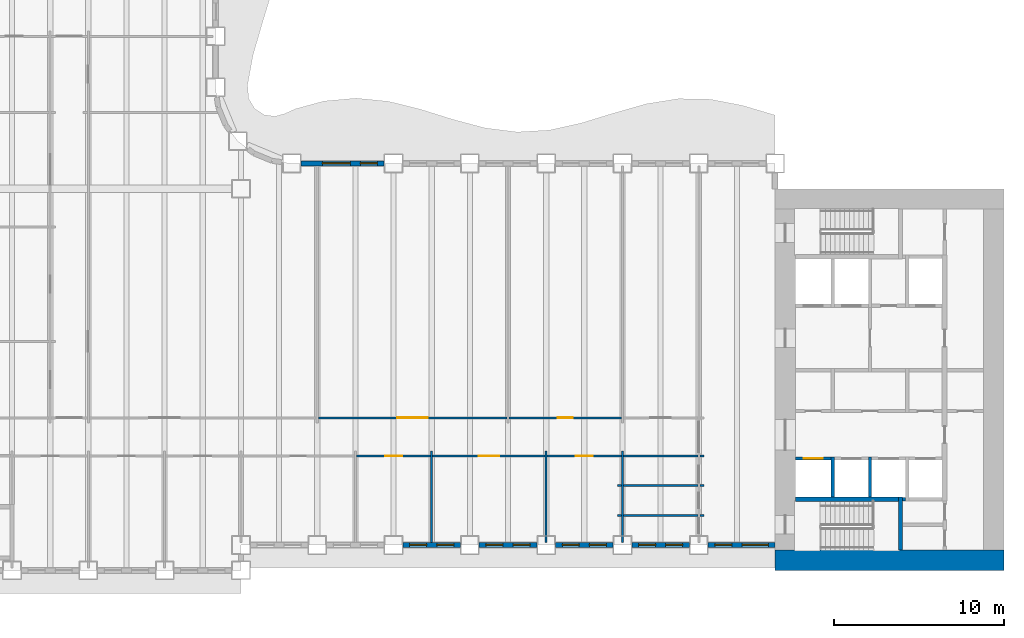
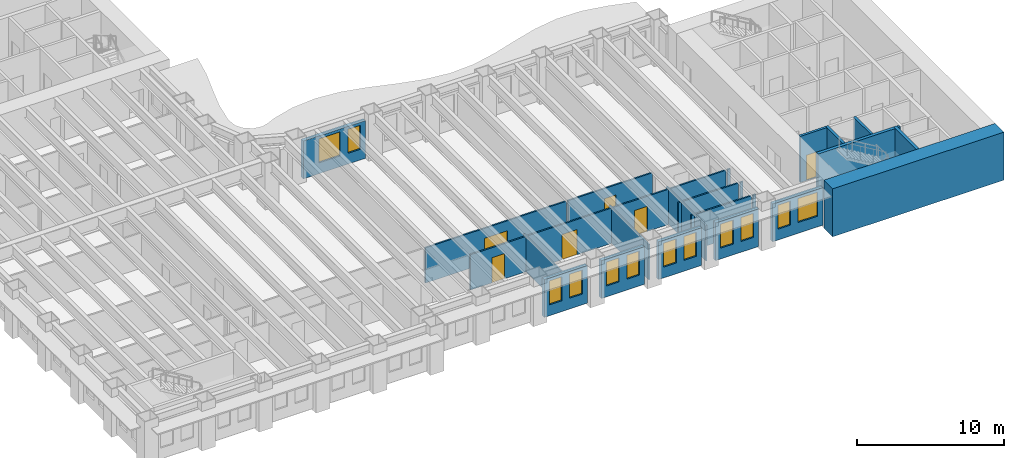
# One storey, part 5 of 17: 29 walls, 12 windows, 6 doors, 18 openings.
"""IFC4 building model written with IfcOpenShell, lengths in metres."""

from ifc_helpers import new_model, si_unit, direction, frame, frame_2d, origin, place, context, subcontext, project, spatial, rectangle, extrude, material, layer, layer_set, type_object, element, fill, save


model = new_model("IFC4")

# Units and contexts
model_context = context("Model", 3, precision=1e-05, world=origin(), true_north=direction((0.0, 1.0)))
body_context = subcontext(model_context, "Body", "Model", "MODEL_VIEW")
ifc_project = project(units=[si_unit("LENGTHUNIT", "METRE"), si_unit("AREAUNIT", "SQUARE_METRE"), si_unit("VOLUMEUNIT", "CUBIC_METRE"), si_unit("PLANEANGLEUNIT", "RADIAN"), si_unit("MASSUNIT", "GRAM", prefix="KILO")], contexts=[model_context])

# Site, building, storey
site_placement = place(None, origin())
site = spatial("IfcSite", under=ifc_project, at=site_placement, CompositionType="ELEMENT")
building_placement = place(site_placement, origin())
building = spatial("IfcBuilding", under=site, at=building_placement, Name="Sennacour Bend Tower", CompositionType="ELEMENT")
storey_placement = place(building_placement, frame((0.0, 0.0, 49.0)))
storey = spatial("IfcBuildingStorey", under=building, at=storey_placement, Name="L10", CompositionType="ELEMENT", Elevation=49.0)

# Walls
ifc_material_1 = material(Name="Concrete C80/95", Category="concrete")
ifc_layer_1 = layer(ifc_material_1, 1.199951171875, Name="Concrete C80/95", Category="concrete")
ifc_layer_set_1 = layer_set([ifc_layer_1], Name="Concrete C80/95")
wall_type_1 = type_object("IfcWallType", Name="Core wall 1200 C80/95", PredefinedType="SHEAR", material=ifc_layer_set_1)
wall_1_placement = place(storey_placement, frame((67.5, 0.60009765625, -0.14990234375), z_axis=(0.0, 0.0, 1.0), x_axis=(-1.0, 0.0, 0.0)))
element("IfcWall", 1, at=wall_1_placement, inside=storey, type_object=wall_type_1, Name="Core A wall L10 S", PredefinedType="SHEAR", context=body_context, shape_type="SweptSolid", body=[
    extrude(rectangle(XDim=13.5, YDim=1.199951171875, at=frame_2d((6.75, 0.0))), origin(), (0.0, 0.0, 1.0), 4.0),
])
ifc_material_2 = material(Name="Plasterboard partition on steel studs", Category="steel")
ifc_layer_2 = layer(ifc_material_2, 0.1201171875, Name="Plasterboard partition on steel studs", Category="steel")
ifc_layer_set_2 = layer_set([ifc_layer_2], Name="Plasterboard partition on steel studs")
wall_type_2 = type_object("IfcWallType", Name="Partition 120", PredefinedType="PARTITIONING", material=ifc_layer_set_2)
for number, where, z_axis, x_axis, name in (
    (2, (33.75, 1.64990234375, 0.0), (0.0, 0.0, 1.0), (0.0, 1.0, 0.0), "P-L10-W029a"),
    (3, (40.5, 1.64990234375, 0.0), (0.0, 0.0, 1.0), (0.0, 1.0, 0.0), "P-L10-W031a"),
    (4, (45.0, 1.64990234375, 0.0), (0.0, 0.0, 1.0), (0.0, 1.0, 0.0), "P-L10-W032a"),
):
    element("IfcWall", number, at=place(storey_placement, frame(where, z_axis=z_axis, x_axis=x_axis)), inside=storey, type_object=wall_type_2, Name=name, PredefinedType="PARTITIONING", context=body_context, shape_type="SweptSolid", body=[
        extrude(rectangle(XDim=5.400146484375, YDim=0.1201171875, at=frame_2d((2.7001953125, 0.0))), origin(), (0.0, 0.0, 1.0), 2.93798828125),
    ])
wall_2_placement = place(storey_placement, frame((44.699951171875, 3.25, 0.0), z_axis=(0.0, 0.0, 1.0), x_axis=(1.0, 0.0, 0.0)))
element("IfcWall", 5, at=wall_2_placement, inside=storey, type_object=wall_type_2, Name="P-L10-W054aa", PredefinedType="PARTITIONING", context=body_context, shape_type="SweptSolid", body=[
    extrude(rectangle(XDim=0.239990234375, YDim=0.1201171875, at=frame_2d((0.1201171875, 0.0))), origin(), (0.0, 0.0, 1.0), 2.93798828125),
])
wall_3_placement = place(storey_placement, frame((45.06005859375, 3.25, 0.0), z_axis=(0.0, 0.0, 1.0), x_axis=(1.0, 0.0, 0.0)))
element("IfcWall", 6, at=wall_3_placement, inside=storey, type_object=wall_type_2, Name="P-L10-W054ab", PredefinedType="PARTITIONING", context=body_context, shape_type="SweptSolid", body=[
    extrude(rectangle(XDim=4.3798828125, YDim=0.1201171875, at=frame_2d((2.18994140625, 0.0))), origin(), (0.0, 0.0, 1.0), 2.93798828125),
])
for number, where, z_axis, x_axis, name in (
    (7, (49.56005859375, 3.25, 0.0), (0.0, 0.0, 1.0), (1.0, 0.0, 0.0), "P-L10-W054ac"),
    (8, (44.699951171875, 5.0, 0.0), (0.0, 0.0, 1.0), (1.0, 0.0, 0.0), "P-L10-W059aa"),
):
    element("IfcWall", number, at=place(storey_placement, frame(where, z_axis=z_axis, x_axis=x_axis)), inside=storey, type_object=wall_type_2, Name=name, PredefinedType="PARTITIONING", context=body_context, shape_type="SweptSolid", body=[
        extrude(rectangle(XDim=0.239990234375, YDim=0.1201171875, at=frame_2d((0.1201171875, 0.0))), origin(), (0.0, 0.0, 1.0), 2.93798828125),
    ])
wall_4_placement = place(storey_placement, frame((45.06005859375, 5.0, 0.0), z_axis=(0.0, 0.0, 1.0), x_axis=(1.0, 0.0, 0.0)))
element("IfcWall", 9, at=wall_4_placement, inside=storey, type_object=wall_type_2, Name="P-L10-W059ab", PredefinedType="PARTITIONING", context=body_context, shape_type="SweptSolid", body=[
    extrude(rectangle(XDim=4.3798828125, YDim=0.1201171875, at=frame_2d((2.18994140625, 0.0))), origin(), (0.0, 0.0, 1.0), 2.93798828125),
])
wall_5_placement = place(storey_placement, frame((49.56005859375, 5.0, 0.0), z_axis=(0.0, 0.0, 1.0), x_axis=(1.0, 0.0, 0.0)))
element("IfcWall", 10, at=wall_5_placement, inside=storey, type_object=wall_type_2, Name="P-L10-W059ac", PredefinedType="PARTITIONING", context=body_context, shape_type="SweptSolid", body=[
    extrude(rectangle(XDim=0.239990234375, YDim=0.1201171875, at=frame_2d((0.1201171875, 0.0))), origin(), (0.0, 0.0, 1.0), 2.93798828125),
])

# Wall, opening, door
wall_6_placement = place(storey_placement, frame((29.31005859375, 6.75, 0.0), z_axis=(0.0, 0.0, 1.0), x_axis=(1.0, 0.0, 0.0)))
wall_6 = element("IfcWall", 11, at=wall_6_placement, inside=storey, type_object=wall_type_2, Name="P-L10-W061af", PredefinedType="PARTITIONING", context=body_context, shape_type="SweptSolid", body=[
    extrude(rectangle(XDim=4.3798828125, YDim=0.1201171875, at=frame_2d((2.18994140625, 0.0))), origin(), (0.0, 0.0, 1.0), 2.93798828125),
])
opening_1_placement = place(wall_6_placement, frame((1.68994140625, 0.0, 0.0)))
opening_1 = element("IfcOpeningElement", 12, at=opening_1_placement, cuts=wall_6, Name="Opening OD2", PredefinedType="OPENING", context=body_context, shape_type="SweptSolid", body=[
    extrude(rectangle(XDim=1.0, YDim=2.10009765625, at=frame_2d((0.5, 1.050048828125))), frame((0.0, 0.070068359375, 0.0), z_axis=(0.0, -1.0, 0.0), x_axis=(1.0, 0.0, 0.0)), (0.0, 0.0, 1.0), 0.14013671875),
])
ifc_material_3 = material(Name="Timber", Category="wood")
door_type_1 = type_object("IfcDoorType", Name="DR-OFFICE-1000", OperationType="NOTDEFINED", PredefinedType="DOOR", material=ifc_material_3)
door_1_placement = place(opening_1_placement, origin())
door_1 = element("IfcDoor", 13, at=door_1_placement, inside=storey, type_object=door_type_1, Name="Door", OperationType="SINGLE_SWING_LEFT", OverallHeight=2.10009765625, OverallWidth=1.0, PredefinedType="DOOR", context=body_context, shape_type="SweptSolid", body=[
    extrude(rectangle(XDim=1.0, YDim=2.10009765625, at=frame_2d((0.5, 1.050048828125))), frame((0.0, 0.02490234375, 0.0), z_axis=(0.0, -1.0, 0.0), x_axis=(1.0, 0.0, 0.0)), (0.0, 0.0, 1.0), 0.050048828125),
])
fill(opening_1, door_1)

wall_7_placement = place(storey_placement, frame((33.81005859375, 6.75, 0.0), z_axis=(0.0, 0.0, 1.0), x_axis=(1.0, 0.0, 0.0)))
wall_7 = element("IfcWall", 14, at=wall_7_placement, inside=storey, type_object=wall_type_2, Name="P-L10-W061ag", PredefinedType="PARTITIONING", context=body_context, shape_type="SweptSolid", body=[
    extrude(rectangle(XDim=6.6298828125, YDim=0.1201171875, at=frame_2d((3.31494140625, 0.0))), origin(), (0.0, 0.0, 1.0), 2.93798828125),
])
opening_2_placement = place(wall_7_placement, frame((2.71484375, 0.0, 0.0)))
opening_2 = element("IfcOpeningElement", 15, at=opening_2_placement, cuts=wall_7, Name="Opening OD", PredefinedType="OPENING", context=body_context, shape_type="SweptSolid", body=[
    extrude(rectangle(XDim=1.199951171875, YDim=2.10009765625, at=frame_2d((0.60009765625, 1.050048828125))), frame((0.0, 0.070068359375, 0.0), z_axis=(0.0, -1.0, 0.0), x_axis=(1.0, 0.0, 0.0)), (0.0, 0.0, 1.0), 0.14013671875),
])
door_type_2 = type_object("IfcDoorType", Name="DR-OFFICE-1200", OperationType="NOTDEFINED", PredefinedType="DOOR", material=ifc_material_3)
door_2_placement = place(opening_2_placement, origin())
door_2 = element("IfcDoor", 16, at=door_2_placement, inside=storey, type_object=door_type_2, Name="Door", OperationType="SINGLE_SWING_LEFT", OverallHeight=2.10009765625, OverallWidth=1.199951171875, PredefinedType="DOOR", context=body_context, shape_type="SweptSolid", body=[
    extrude(rectangle(XDim=1.199951171875, YDim=2.10009765625, at=frame_2d((0.60009765625, 1.050048828125))), frame((0.0, 0.02490234375, 0.0), z_axis=(0.0, -1.0, 0.0), x_axis=(1.0, 0.0, 0.0)), (0.0, 0.0, 1.0), 0.050048828125),
])
fill(opening_2, door_2)

wall_8_placement = place(storey_placement, frame((40.56005859375, 6.75, 0.0), z_axis=(0.0, 0.0, 1.0), x_axis=(1.0, 0.0, 0.0)))
wall_8 = element("IfcWall", 17, at=wall_8_placement, inside=storey, type_object=wall_type_2, Name="P-L10-W061ah", PredefinedType="PARTITIONING", context=body_context, shape_type="SweptSolid", body=[
    extrude(rectangle(XDim=4.3798828125, YDim=0.1201171875, at=frame_2d((2.18994140625, 0.0))), origin(), (0.0, 0.0, 1.0), 2.93798828125),
])
opening_3_placement = place(wall_8_placement, frame((1.68994140625, 0.0, 0.0)))
opening_3 = element("IfcOpeningElement", 18, at=opening_3_placement, cuts=wall_8, Name="Opening MD2", PredefinedType="OPENING", context=body_context, shape_type="SweptSolid", body=[
    extrude(rectangle(XDim=1.0, YDim=2.10009765625, at=frame_2d((0.5, 1.050048828125))), frame((0.0, 0.070068359375, 0.0), z_axis=(0.0, -1.0, 0.0), x_axis=(1.0, 0.0, 0.0)), (0.0, 0.0, 1.0), 0.14013671875),
])
door_type_3 = type_object("IfcDoorType", Name="DR-MEETING-1000", OperationType="NOTDEFINED", PredefinedType="DOOR", material=ifc_material_3)
door_3_placement = place(opening_3_placement, origin())
door_3 = element("IfcDoor", 19, at=door_3_placement, inside=storey, type_object=door_type_3, Name="Door", OperationType="SINGLE_SWING_LEFT", OverallHeight=2.10009765625, OverallWidth=1.0, PredefinedType="DOOR", context=body_context, shape_type="SweptSolid", body=[
    extrude(rectangle(XDim=1.0, YDim=2.10009765625, at=frame_2d((0.5, 1.050048828125))), frame((0.0, 0.02490234375, 0.0), z_axis=(0.0, -1.0, 0.0), x_axis=(1.0, 0.0, 0.0)), (0.0, 0.0, 1.0), 0.050048828125),
])
fill(opening_3, door_3)

# Walls
wall_9_placement = place(storey_placement, frame((45.06005859375, 6.75, 0.0), z_axis=(0.0, 0.0, 1.0), x_axis=(1.0, 0.0, 0.0)))
element("IfcWall", 20, at=wall_9_placement, inside=storey, type_object=wall_type_2, Name="P-L10-W061ai", PredefinedType="PARTITIONING", context=body_context, shape_type="SweptSolid", body=[
    extrude(rectangle(XDim=4.3798828125, YDim=0.1201171875, at=frame_2d((2.18994140625, 0.0))), origin(), (0.0, 0.0, 1.0), 2.93798828125),
])
wall_10_placement = place(storey_placement, frame((49.56005859375, 6.75, 0.0), z_axis=(0.0, 0.0, 1.0), x_axis=(1.0, 0.0, 0.0)))
element("IfcWall", 21, at=wall_10_placement, inside=storey, type_object=wall_type_2, Name="P-L10-W061aj", PredefinedType="PARTITIONING", context=body_context, shape_type="SweptSolid", body=[
    extrude(rectangle(XDim=0.239990234375, YDim=0.1201171875, at=frame_2d((0.1201171875, 0.0))), origin(), (0.0, 0.0, 1.0), 2.93798828125),
])

# Wall, opening, door
wall_11_placement = place(storey_placement, frame((27.06005859375, 9.0, 0.0), z_axis=(0.0, 0.0, 1.0), x_axis=(1.0, 0.0, 0.0)))
wall_11 = element("IfcWall", 22, at=wall_11_placement, inside=storey, type_object=wall_type_2, Name="P-L10-W062ad", PredefinedType="PARTITIONING", context=body_context, shape_type="SweptSolid", body=[
    extrude(rectangle(XDim=11.1298828125, YDim=0.1201171875, at=frame_2d((5.56494140625, 0.0))), origin(), (0.0, 0.0, 1.0), 2.93798828125),
])
opening_4_placement = place(wall_11_placement, frame((4.664794921875, 0.0, 0.0)))
opening_4 = element("IfcOpeningElement", 23, at=opening_4_placement, cuts=wall_11, Name="Opening OD3", PredefinedType="OPENING", context=body_context, shape_type="SweptSolid", body=[
    extrude(rectangle(XDim=1.800048828125, YDim=2.10009765625, at=frame_2d((0.89990234375, 1.050048828125))), frame((0.0, 0.070068359375, 0.0), z_axis=(0.0, -1.0, 0.0), x_axis=(1.0, 0.0, 0.0)), (0.0, 0.0, 1.0), 0.14013671875),
])
door_type_4 = type_object("IfcDoorType", Name="DR-OFFICE-1800", OperationType="NOTDEFINED", PredefinedType="DOOR", material=ifc_material_3)
door_4_placement = place(opening_4_placement, origin())
door_4 = element("IfcDoor", 24, at=door_4_placement, inside=storey, type_object=door_type_4, Name="Door", OperationType="DOUBLE_DOOR_SINGLE_SWING", OverallHeight=2.10009765625, OverallWidth=1.800048828125, PredefinedType="DOOR", context=body_context, shape_type="SweptSolid", body=[
    extrude(rectangle(XDim=1.800048828125, YDim=2.10009765625, at=frame_2d((0.89990234375, 1.050048828125))), frame((0.0, 0.02490234375, 0.0), z_axis=(0.0, -1.0, 0.0), x_axis=(1.0, 0.0, 0.0)), (0.0, 0.0, 1.0), 0.050048828125),
])
fill(opening_4, door_4)

ifc_layer_3 = layer(ifc_material_2, 0.1201171875, Name="Plasterboard partition on steel studs", Category="steel")
ifc_layer_set_3 = layer_set([ifc_layer_3], Name="Plasterboard partition on steel studs")
wall_type_3 = type_object("IfcWallType", Name="Partition 120 EI 60", PredefinedType="PARTITIONING", material=ifc_layer_set_3)
wall_12_placement = place(storey_placement, frame((38.31005859375, 9.0, 0.0), z_axis=(0.0, 0.0, 1.0), x_axis=(1.0, 0.0, 0.0)))
wall_12 = element("IfcWall", 25, at=wall_12_placement, inside=storey, type_object=wall_type_3, Name="P-L10-W062ae", PredefinedType="PARTITIONING", context=body_context, shape_type="SweptSolid", body=[
    extrude(rectangle(XDim=6.6298828125, YDim=0.1201171875, at=frame_2d((3.31494140625, 0.0))), origin(), (0.0, 0.0, 1.0), 2.93798828125),
])
opening_5_placement = place(wall_12_placement, frame((2.864990234375, 0.0, 0.0)))
opening_5 = element("IfcOpeningElement", 26, at=opening_5_placement, cuts=wall_12, Name="Opening SV", PredefinedType="OPENING", context=body_context, shape_type="SweptSolid", body=[
    extrude(rectangle(XDim=0.89990234375, YDim=2.10009765625, at=frame_2d((0.449951171875, 1.050048828125))), frame((0.0, 0.070068359375, 0.0), z_axis=(0.0, -1.0, 0.0), x_axis=(1.0, 0.0, 0.0)), (0.0, 0.0, 1.0), 0.14013671875),
])
ifc_material_4 = material(Name="Painted steel", Category="steel")
door_type_5 = type_object("IfcDoorType", Name="DR-SERVICE-900", OperationType="NOTDEFINED", PredefinedType="DOOR", material=ifc_material_4)
door_5_placement = place(opening_5_placement, origin())
door_5 = element("IfcDoor", 27, at=door_5_placement, inside=storey, type_object=door_type_5, Name="Door", OperationType="SINGLE_SWING_LEFT", OverallHeight=2.10009765625, OverallWidth=0.89990234375, PredefinedType="DOOR", context=body_context, shape_type="SweptSolid", body=[
    extrude(rectangle(XDim=0.89990234375, YDim=2.10009765625, at=frame_2d((0.449951171875, 1.050048828125))), frame((0.0, 0.02490234375, 0.0), z_axis=(0.0, -1.0, 0.0), x_axis=(1.0, 0.0, 0.0)), (0.0, 0.0, 1.0), 0.050048828125),
])
fill(opening_5, door_5)

# Wall, openings, windows
ifc_material_5 = material(Name="Warm limestone cladding", Category="masonry")
ifc_layer_4 = layer(ifc_material_5, 0.050048828125, Name="Warm limestone cladding", Category="masonry")
ifc_material_6 = material(Name="Precast concrete C40/50", Category="concrete")
ifc_layer_5 = layer(ifc_material_6, 0.25, Name="Precast concrete C40/50", Category="concrete")
ifc_layer_set_4 = layer_set([ifc_layer_4, ifc_layer_5], Name="Precast concrete C40/50 with limestone cladding")
wall_type_4 = type_object("IfcWallType", Name="STONE-CLAD PRECAST SPANDREL 300", PredefinedType="STANDARD", material=ifc_layer_set_4)
wall_13_placement = place(storey_placement, frame((32.050048828125, 1.5, 0.0), z_axis=(0.0, 0.0, 1.0), x_axis=(1.0, 0.0, 0.0)))
wall_13 = element("IfcWall", 28, at=wall_13_placement, inside=storey, type_object=wall_type_4, Name="Stone spandrel and pier wall L10 02.02", PredefinedType="STANDARD", context=body_context, shape_type="SweptSolid", body=[
    extrude(rectangle(XDim=3.39990234375, YDim=0.300048828125, at=frame_2d((1.699951171875, 0.0))), origin(), (0.0, 0.0, 1.0), 3.14404296875),
])
opening_6_placement = place(wall_13_placement, frame((0.39990234375, 0.0, 0.89990234375)))
opening_6 = element("IfcOpeningElement", 29, at=opening_6_placement, cuts=wall_13, Name="Opening W8", PredefinedType="OPENING", context=body_context, shape_type="SweptSolid", body=[
    extrude(rectangle(XDim=1.0, YDim=2.0, at=frame_2d((0.5, 1.0))), frame((0.0, 0.16015625, 0.0), z_axis=(0.0, -1.0, 0.0), x_axis=(1.0, 0.0, 0.0)), (0.0, 0.0, 1.0), 0.320068359375),
])
opening_7_placement = place(wall_13_placement, frame((2.0, 0.0, 0.89990234375)))
opening_7 = element("IfcOpeningElement", 30, at=opening_7_placement, cuts=wall_13, Name="Opening W8", PredefinedType="OPENING", context=body_context, shape_type="SweptSolid", body=[
    extrude(rectangle(XDim=1.0, YDim=2.0, at=frame_2d((0.5, 1.0))), frame((0.0, 0.16015625, 0.0), z_axis=(0.0, -1.0, 0.0), x_axis=(1.0, 0.0, 0.0)), (0.0, 0.0, 1.0), 0.320068359375),
])
ifc_material_7 = material(Name="Clear low-emissivity glass", Category="glass")
window_type_1 = type_object("IfcWindowType", Name="WIN-RIBBON-1000x2000", PartitioningType="SINGLE_PANEL", PredefinedType="WINDOW", material=ifc_material_7)
window_1_placement = place(opening_6_placement, origin())
window_1 = element("IfcWindow", 31, at=window_1_placement, inside=storey, type_object=window_type_1, Name="Ribbon window L10 02.02.0", OverallHeight=2.0, OverallWidth=1.0, PartitioningType="SINGLE_PANEL", PredefinedType="WINDOW", context=body_context, shape_type="SweptSolid", body=[
    extrude(rectangle(XDim=1.0, YDim=2.0, at=frame_2d((0.5, 1.0))), frame((0.0, 0.030029296875, 0.0), z_axis=(0.0, -1.0, 0.0), x_axis=(1.0, 0.0, 0.0)), (0.0, 0.0, 1.0), 0.06005859375),
])
fill(opening_6, window_1)
window_2_placement = place(opening_7_placement, origin())
window_2 = element("IfcWindow", 32, at=window_2_placement, inside=storey, type_object=window_type_1, Name="Ribbon window L10 02.02.1", OverallHeight=2.0, OverallWidth=1.0, PartitioningType="SINGLE_PANEL", PredefinedType="WINDOW", context=body_context, shape_type="SweptSolid", body=[
    extrude(rectangle(XDim=1.0, YDim=2.0, at=frame_2d((0.5, 1.0))), frame((0.0, 0.030029296875, 0.0), z_axis=(0.0, -1.0, 0.0), x_axis=(1.0, 0.0, 0.0)), (0.0, 0.0, 1.0), 0.06005859375),
])
fill(opening_7, window_2)

wall_14_placement = place(storey_placement, frame((36.550048828125, 1.5, 0.0), z_axis=(0.0, 0.0, 1.0), x_axis=(1.0, 0.0, 0.0)))
wall_14 = element("IfcWall", 33, at=wall_14_placement, inside=storey, type_object=wall_type_4, Name="Stone spandrel and pier wall L10 02.03", PredefinedType="STANDARD", context=body_context, shape_type="SweptSolid", body=[
    extrude(rectangle(XDim=3.39990234375, YDim=0.300048828125, at=frame_2d((1.699951171875, 0.0))), origin(), (0.0, 0.0, 1.0), 3.14404296875),
])
opening_8_placement = place(wall_14_placement, frame((0.39990234375, 0.0, 0.89990234375)))
opening_8 = element("IfcOpeningElement", 34, at=opening_8_placement, cuts=wall_14, Name="Opening W8", PredefinedType="OPENING", context=body_context, shape_type="SweptSolid", body=[
    extrude(rectangle(XDim=1.0, YDim=2.0, at=frame_2d((0.5, 1.0))), frame((0.0, 0.16015625, 0.0), z_axis=(0.0, -1.0, 0.0), x_axis=(1.0, 0.0, 0.0)), (0.0, 0.0, 1.0), 0.320068359375),
])
opening_9_placement = place(wall_14_placement, frame((2.0, 0.0, 0.89990234375)))
opening_9 = element("IfcOpeningElement", 35, at=opening_9_placement, cuts=wall_14, Name="Opening W8", PredefinedType="OPENING", context=body_context, shape_type="SweptSolid", body=[
    extrude(rectangle(XDim=1.0, YDim=2.0, at=frame_2d((0.5, 1.0))), frame((0.0, 0.16015625, 0.0), z_axis=(0.0, -1.0, 0.0), x_axis=(1.0, 0.0, 0.0)), (0.0, 0.0, 1.0), 0.320068359375),
])
window_3_placement = place(opening_8_placement, origin())
window_3 = element("IfcWindow", 36, at=window_3_placement, inside=storey, type_object=window_type_1, Name="Ribbon window L10 02.03.0", OverallHeight=2.0, OverallWidth=1.0, PartitioningType="SINGLE_PANEL", PredefinedType="WINDOW", context=body_context, shape_type="SweptSolid", body=[
    extrude(rectangle(XDim=1.0, YDim=2.0, at=frame_2d((0.5, 1.0))), frame((0.0, 0.030029296875, 0.0), z_axis=(0.0, -1.0, 0.0), x_axis=(1.0, 0.0, 0.0)), (0.0, 0.0, 1.0), 0.06005859375),
])
fill(opening_8, window_3)
window_4_placement = place(opening_9_placement, origin())
window_4 = element("IfcWindow", 37, at=window_4_placement, inside=storey, type_object=window_type_1, Name="Ribbon window L10 02.03.1", OverallHeight=2.0, OverallWidth=1.0, PartitioningType="SINGLE_PANEL", PredefinedType="WINDOW", context=body_context, shape_type="SweptSolid", body=[
    extrude(rectangle(XDim=1.0, YDim=2.0, at=frame_2d((0.5, 1.0))), frame((0.0, 0.030029296875, 0.0), z_axis=(0.0, -1.0, 0.0), x_axis=(1.0, 0.0, 0.0)), (0.0, 0.0, 1.0), 0.06005859375),
])
fill(opening_9, window_4)

wall_15_placement = place(storey_placement, frame((41.050048828125, 1.5, 0.0), z_axis=(0.0, 0.0, 1.0), x_axis=(1.0, 0.0, 0.0)))
wall_15 = element("IfcWall", 38, at=wall_15_placement, inside=storey, type_object=wall_type_4, Name="Stone spandrel and pier wall L10 02.04", PredefinedType="STANDARD", context=body_context, shape_type="SweptSolid", body=[
    extrude(rectangle(XDim=3.39990234375, YDim=0.300048828125, at=frame_2d((1.699951171875, 0.0))), origin(), (0.0, 0.0, 1.0), 3.14404296875),
])
opening_10_placement = place(wall_15_placement, frame((0.39990234375, 0.0, 0.89990234375)))
opening_10 = element("IfcOpeningElement", 39, at=opening_10_placement, cuts=wall_15, Name="Opening W8", PredefinedType="OPENING", context=body_context, shape_type="SweptSolid", body=[
    extrude(rectangle(XDim=1.0, YDim=2.0, at=frame_2d((0.5, 1.0))), frame((0.0, 0.16015625, 0.0), z_axis=(0.0, -1.0, 0.0), x_axis=(1.0, 0.0, 0.0)), (0.0, 0.0, 1.0), 0.320068359375),
])
opening_11_placement = place(wall_15_placement, frame((2.0, 0.0, 0.89990234375)))
opening_11 = element("IfcOpeningElement", 40, at=opening_11_placement, cuts=wall_15, Name="Opening W8", PredefinedType="OPENING", context=body_context, shape_type="SweptSolid", body=[
    extrude(rectangle(XDim=1.0, YDim=2.0, at=frame_2d((0.5, 1.0))), frame((0.0, 0.16015625, 0.0), z_axis=(0.0, -1.0, 0.0), x_axis=(1.0, 0.0, 0.0)), (0.0, 0.0, 1.0), 0.320068359375),
])
window_5_placement = place(opening_10_placement, origin())
window_5 = element("IfcWindow", 41, at=window_5_placement, inside=storey, type_object=window_type_1, Name="Ribbon window L10 02.04.0", OverallHeight=2.0, OverallWidth=1.0, PartitioningType="SINGLE_PANEL", PredefinedType="WINDOW", context=body_context, shape_type="SweptSolid", body=[
    extrude(rectangle(XDim=1.0, YDim=2.0, at=frame_2d((0.5, 1.0))), frame((0.0, 0.030029296875, 0.0), z_axis=(0.0, -1.0, 0.0), x_axis=(1.0, 0.0, 0.0)), (0.0, 0.0, 1.0), 0.06005859375),
])
fill(opening_10, window_5)
window_6_placement = place(opening_11_placement, origin())
window_6 = element("IfcWindow", 42, at=window_6_placement, inside=storey, type_object=window_type_1, Name="Ribbon window L10 02.04.1", OverallHeight=2.0, OverallWidth=1.0, PartitioningType="SINGLE_PANEL", PredefinedType="WINDOW", context=body_context, shape_type="SweptSolid", body=[
    extrude(rectangle(XDim=1.0, YDim=2.0, at=frame_2d((0.5, 1.0))), frame((0.0, 0.030029296875, 0.0), z_axis=(0.0, -1.0, 0.0), x_axis=(1.0, 0.0, 0.0)), (0.0, 0.0, 1.0), 0.06005859375),
])
fill(opening_11, window_6)

wall_16_placement = place(storey_placement, frame((45.550048828125, 1.5, 0.0), z_axis=(0.0, 0.0, 1.0), x_axis=(1.0, 0.0, 0.0)))
wall_16 = element("IfcWall", 43, at=wall_16_placement, inside=storey, type_object=wall_type_4, Name="Stone spandrel and pier wall L10 02.05", PredefinedType="STANDARD", context=body_context, shape_type="SweptSolid", body=[
    extrude(rectangle(XDim=3.39990234375, YDim=0.300048828125, at=frame_2d((1.699951171875, 0.0))), origin(), (0.0, 0.0, 1.0), 3.14404296875),
])
opening_12_placement = place(wall_16_placement, frame((0.39990234375, 0.0, 0.89990234375)))
opening_12 = element("IfcOpeningElement", 44, at=opening_12_placement, cuts=wall_16, Name="Opening W8", PredefinedType="OPENING", context=body_context, shape_type="SweptSolid", body=[
    extrude(rectangle(XDim=1.0, YDim=2.0, at=frame_2d((0.5, 1.0))), frame((0.0, 0.16015625, 0.0), z_axis=(0.0, -1.0, 0.0), x_axis=(1.0, 0.0, 0.0)), (0.0, 0.0, 1.0), 0.320068359375),
])
opening_13_placement = place(wall_16_placement, frame((2.0, 0.0, 0.89990234375)))
opening_13 = element("IfcOpeningElement", 45, at=opening_13_placement, cuts=wall_16, Name="Opening W8", PredefinedType="OPENING", context=body_context, shape_type="SweptSolid", body=[
    extrude(rectangle(XDim=1.0, YDim=2.0, at=frame_2d((0.5, 1.0))), frame((0.0, 0.16015625, 0.0), z_axis=(0.0, -1.0, 0.0), x_axis=(1.0, 0.0, 0.0)), (0.0, 0.0, 1.0), 0.320068359375),
])
window_7_placement = place(opening_12_placement, origin())
window_7 = element("IfcWindow", 46, at=window_7_placement, inside=storey, type_object=window_type_1, Name="Ribbon window L10 02.05.0", OverallHeight=2.0, OverallWidth=1.0, PartitioningType="SINGLE_PANEL", PredefinedType="WINDOW", context=body_context, shape_type="SweptSolid", body=[
    extrude(rectangle(XDim=1.0, YDim=2.0, at=frame_2d((0.5, 1.0))), frame((0.0, 0.030029296875, 0.0), z_axis=(0.0, -1.0, 0.0), x_axis=(1.0, 0.0, 0.0)), (0.0, 0.0, 1.0), 0.06005859375),
])
fill(opening_12, window_7)
window_8_placement = place(opening_13_placement, origin())
window_8 = element("IfcWindow", 47, at=window_8_placement, inside=storey, type_object=window_type_1, Name="Ribbon window L10 02.05.1", OverallHeight=2.0, OverallWidth=1.0, PartitioningType="SINGLE_PANEL", PredefinedType="WINDOW", context=body_context, shape_type="SweptSolid", body=[
    extrude(rectangle(XDim=1.0, YDim=2.0, at=frame_2d((0.5, 1.0))), frame((0.0, 0.030029296875, 0.0), z_axis=(0.0, -1.0, 0.0), x_axis=(1.0, 0.0, 0.0)), (0.0, 0.0, 1.0), 0.06005859375),
])
fill(opening_13, window_8)

wall_17_placement = place(storey_placement, frame((50.050048828125, 1.5, 0.0), z_axis=(0.0, 0.0, 1.0), x_axis=(1.0, 0.0, 0.0)))
wall_17 = element("IfcWall", 48, at=wall_17_placement, inside=storey, type_object=wall_type_4, Name="Stone spandrel and pier wall L10 02.06", PredefinedType="STANDARD", context=body_context, shape_type="SweptSolid", body=[
    extrude(rectangle(XDim=3.949951171875, YDim=0.300048828125, at=frame_2d((1.97509765625, 0.0))), origin(), (0.0, 0.0, 1.0), 3.14404296875),
])
opening_14_placement = place(wall_17_placement, frame((0.39990234375, 0.0, 0.89990234375)))
opening_14 = element("IfcOpeningElement", 49, at=opening_14_placement, cuts=wall_17, Name="Opening W8", PredefinedType="OPENING", context=body_context, shape_type="SweptSolid", body=[
    extrude(rectangle(XDim=1.0, YDim=2.0, at=frame_2d((0.5, 1.0))), frame((0.0, 0.16015625, 0.0), z_axis=(0.0, -1.0, 0.0), x_axis=(1.0, 0.0, 0.0)), (0.0, 0.0, 1.0), 0.320068359375),
])
opening_15_placement = place(wall_17_placement, frame((2.0, 0.0, 0.89990234375)))
opening_15 = element("IfcOpeningElement", 50, at=opening_15_placement, cuts=wall_17, Name="Opening W9", PredefinedType="OPENING", context=body_context, shape_type="SweptSolid", body=[
    extrude(rectangle(XDim=1.550048828125, YDim=2.0, at=frame_2d((0.77490234375, 1.0))), frame((0.0, 0.16015625, 0.0), z_axis=(0.0, -1.0, 0.0), x_axis=(1.0, 0.0, 0.0)), (0.0, 0.0, 1.0), 0.320068359375),
])
window_9_placement = place(opening_14_placement, origin())
window_9 = element("IfcWindow", 51, at=window_9_placement, inside=storey, type_object=window_type_1, Name="Ribbon window L10 02.06.0", OverallHeight=2.0, OverallWidth=1.0, PartitioningType="SINGLE_PANEL", PredefinedType="WINDOW", context=body_context, shape_type="SweptSolid", body=[
    extrude(rectangle(XDim=1.0, YDim=2.0, at=frame_2d((0.5, 1.0))), frame((0.0, 0.030029296875, 0.0), z_axis=(0.0, -1.0, 0.0), x_axis=(1.0, 0.0, 0.0)), (0.0, 0.0, 1.0), 0.06005859375),
])
fill(opening_14, window_9)
window_type_2 = type_object("IfcWindowType", Name="WIN-RIBBON-1550x2000", PartitioningType="SINGLE_PANEL", PredefinedType="WINDOW", material=ifc_material_7)
window_10_placement = place(opening_15_placement, origin())
window_10 = element("IfcWindow", 52, at=window_10_placement, inside=storey, type_object=window_type_2, Name="Ribbon window L10 02.06.1", OverallHeight=2.0, OverallWidth=1.550048828125, PartitioningType="SINGLE_PANEL", PredefinedType="WINDOW", context=body_context, shape_type="SweptSolid", body=[
    extrude(rectangle(XDim=1.550048828125, YDim=2.0, at=frame_2d((0.77490234375, 1.0))), frame((0.0, 0.030029296875, 0.0), z_axis=(0.0, -1.0, 0.0), x_axis=(1.0, 0.0, 0.0)), (0.0, 0.0, 1.0), 0.06005859375),
])
fill(opening_15, window_10)

wall_18_placement = place(storey_placement, frame((30.949951171875, 24.0, 0.0), z_axis=(0.0, 0.0, 1.0), x_axis=(-1.0, 0.0, 0.0)))
wall_18 = element("IfcWall", 53, at=wall_18_placement, inside=storey, type_object=wall_type_4, Name="Stone spandrel and pier wall L10 08.05", PredefinedType="STANDARD", context=body_context, shape_type="SweptSolid", body=[
    extrude(rectangle(XDim=4.89990234375, YDim=0.300048828125, at=frame_2d((2.449951171875, 0.0))), origin(), (0.0, 0.0, 1.0), 3.14404296875),
])
opening_16_placement = place(wall_18_placement, frame((0.39990234375, 0.0, 0.89990234375)))
opening_16 = element("IfcOpeningElement", 54, at=opening_16_placement, cuts=wall_18, Name="Opening W8", PredefinedType="OPENING", context=body_context, shape_type="SweptSolid", body=[
    extrude(rectangle(XDim=1.0, YDim=2.0, at=frame_2d((0.5, 1.0))), frame((0.0, 0.16015625, 0.0), z_axis=(0.0, -1.0, 0.0), x_axis=(1.0, 0.0, 0.0)), (0.0, 0.0, 1.0), 0.320068359375),
])
opening_17_placement = place(wall_18_placement, frame((2.0, 0.0, 0.89990234375)))
opening_17 = element("IfcOpeningElement", 55, at=opening_17_placement, cuts=wall_18, Name="Opening W10", PredefinedType="OPENING", context=body_context, shape_type="SweptSolid", body=[
    extrude(rectangle(XDim=1.64990234375, YDim=2.0, at=frame_2d((0.824951171875, 1.0))), frame((0.0, 0.16015625, 0.0), z_axis=(0.0, -1.0, 0.0), x_axis=(1.0, 0.0, 0.0)), (0.0, 0.0, 1.0), 0.320068359375),
])
window_11_placement = place(opening_16_placement, origin())
window_11 = element("IfcWindow", 56, at=window_11_placement, inside=storey, type_object=window_type_1, Name="Ribbon window L10 08.05.0", OverallHeight=2.0, OverallWidth=1.0, PartitioningType="SINGLE_PANEL", PredefinedType="WINDOW", context=body_context, shape_type="SweptSolid", body=[
    extrude(rectangle(XDim=1.0, YDim=2.0, at=frame_2d((0.5, 1.0))), frame((0.0, 0.030029296875, 0.0), z_axis=(0.0, -1.0, 0.0), x_axis=(1.0, 0.0, 0.0)), (0.0, 0.0, 1.0), 0.06005859375),
])
fill(opening_16, window_11)
window_type_3 = type_object("IfcWindowType", Name="WIN-RIBBON-1650x2000", PartitioningType="SINGLE_PANEL", PredefinedType="WINDOW", material=ifc_material_7)
window_12_placement = place(opening_17_placement, origin())
window_12 = element("IfcWindow", 57, at=window_12_placement, inside=storey, type_object=window_type_3, Name="Ribbon window L10 08.05.1", OverallHeight=2.0, OverallWidth=1.64990234375, PartitioningType="SINGLE_PANEL", PredefinedType="WINDOW", context=body_context, shape_type="SweptSolid", body=[
    extrude(rectangle(XDim=1.64990234375, YDim=2.0, at=frame_2d((0.824951171875, 1.0))), frame((0.0, 0.030029296875, 0.0), z_axis=(0.0, -1.0, 0.0), x_axis=(1.0, 0.0, 0.0)), (0.0, 0.0, 1.0), 0.06005859375),
])
fill(opening_17, window_12)

# Walls
ifc_material_8 = material(Name="Concrete C50/60", Category="concrete")
ifc_layer_6 = layer(ifc_material_8, 0.199951171875, Name="Concrete C50/60", Category="concrete")
ifc_layer_set_5 = layer_set([ifc_layer_6], Name="Concrete C50/60")
wall_type_5 = type_object("IfcWallType", Name="Shaft wall 200", PredefinedType="SOLIDWALL", material=ifc_layer_set_5)
for number, where, z_axis, x_axis, name in (
    (58, (57.39990234375, 4.324951171875, 0.0), (0.0, 0.0, 1.0), (0.0, 1.0, 0.0), "P-L10-W036"),
    (59, (59.60009765625, 4.324951171875, 0.0), (0.0, 0.0, 1.0), (0.0, 1.0, 0.0), "P-L10-W039"),
):
    element("IfcWall", number, at=place(storey_placement, frame(where, z_axis=z_axis, x_axis=x_axis)), inside=storey, type_object=wall_type_5, Name=name, PredefinedType="SOLIDWALL", context=body_context, shape_type="SweptSolid", body=[
        extrude(rectangle(XDim=2.375, YDim=0.199951171875, at=frame_2d((1.1875, 0.0))), origin(), (0.0, 0.0, 1.0), 3.85009765625),
    ])
wall_19_placement = place(storey_placement, frame((61.52490234375, 4.199951171875, 0.0), z_axis=(0.0, 0.0, 1.0), x_axis=(1.0, 0.0, 0.0)))
element("IfcWall", 60, at=wall_19_placement, inside=storey, type_object=wall_type_5, Name="P-L10-W058a", PredefinedType="SOLIDWALL", context=body_context, shape_type="SweptSolid", body=[
    extrude(rectangle(XDim=0.175048828125, YDim=0.199951171875, at=frame_2d((0.08740234375, 0.0))), origin(), (0.0, 0.0, 1.0), 3.85009765625),
])

# Wall, opening, door
wall_20_placement = place(storey_placement, frame((55.199951171875, 6.60009765625, 0.0), z_axis=(0.0, 0.0, 1.0), x_axis=(1.0, 0.0, 0.0)))
wall_20 = element("IfcWall", 61, at=wall_20_placement, inside=storey, type_object=wall_type_5, Name="P-L10-W060a", PredefinedType="SOLIDWALL", context=body_context, shape_type="SweptSolid", body=[
    extrude(rectangle(XDim=2.10009765625, YDim=0.199951171875, at=frame_2d((1.050048828125, 0.0))), origin(), (0.0, 0.0, 1.0), 3.85009765625),
])
opening_18_placement = place(wall_20_placement, frame((0.5, 0.0, 0.011962890625)))
opening_18 = element("IfcOpeningElement", 62, at=opening_18_placement, cuts=wall_20, Name="Opening LD", PredefinedType="OPENING", context=body_context, shape_type="SweptSolid", body=[
    extrude(rectangle(XDim=1.10009765625, YDim=2.10009765625, at=frame_2d((0.550048828125, 1.050048828125))), frame((0.0, 0.10986328125, 0.0), z_axis=(0.0, -1.0, 0.0), x_axis=(1.0, 0.0, 0.0)), (0.0, 0.0, 1.0), 0.219970703125),
])
ifc_material_9 = material(Name="Stainless steel", Category="steel")
door_type_6 = type_object("IfcDoorType", Name="DR-LANDING-1100", OperationType="NOTDEFINED", PredefinedType="DOOR", material=ifc_material_9)
door_6_placement = place(opening_18_placement, origin())
door_6 = element("IfcDoor", 63, at=door_6_placement, inside=storey, type_object=door_type_6, Name="Lift landing door LA1", OperationType="SLIDING_TO_LEFT", OverallHeight=2.10009765625, OverallWidth=1.10009765625, PredefinedType="DOOR", context=body_context, shape_type="SweptSolid", body=[
    extrude(rectangle(XDim=1.10009765625, YDim=2.10009765625, at=frame_2d((0.550048828125, 1.050048828125))), frame((0.0, 0.02490234375, 0.0), z_axis=(0.0, -1.0, 0.0), x_axis=(1.0, 0.0, 0.0)), (0.0, 0.0, 1.0), 0.050048828125),
])
fill(opening_18, door_6)

# Walls
ifc_material_10 = material(Name="Concrete C60/75", Category="concrete")
ifc_layer_7 = layer(ifc_material_10, 0.25, Name="Concrete C60/75", Category="concrete")
ifc_layer_set_6 = layer_set([ifc_layer_7], Name="Concrete C60/75")
wall_type_6 = type_object("IfcWallType", Name="Stair wall 250", PredefinedType="SHEAR", material=ifc_layer_set_6)
wall_21_placement = place(storey_placement, frame((61.39990234375, 1.199951171875, 0.0), z_axis=(0.0, 0.0, 1.0), x_axis=(0.0, 1.0, 0.0)))
element("IfcWall", 64, at=wall_21_placement, inside=storey, type_object=wall_type_6, Name="P-L10-W042", PredefinedType="SHEAR", context=body_context, shape_type="SweptSolid", body=[
    extrude(rectangle(XDim=3.125, YDim=0.25, at=frame_2d((1.5625, 0.0))), origin(), (0.0, 0.0, 1.0), 3.85009765625),
])
wall_22_placement = place(storey_placement, frame((55.199951171875, 4.199951171875, 0.0), z_axis=(0.0, 0.0, 1.0), x_axis=(1.0, 0.0, 0.0)))
element("IfcWall", 65, at=wall_22_placement, inside=storey, type_object=wall_type_6, Name="P-L10-W057", PredefinedType="SHEAR", context=body_context, shape_type="SweptSolid", body=[
    extrude(rectangle(XDim=6.074951171875, YDim=0.25, at=frame_2d((3.03759765625, 0.0))), origin(), (0.0, 0.0, 1.0), 3.85009765625),
])

save(model, "model.ifc")
